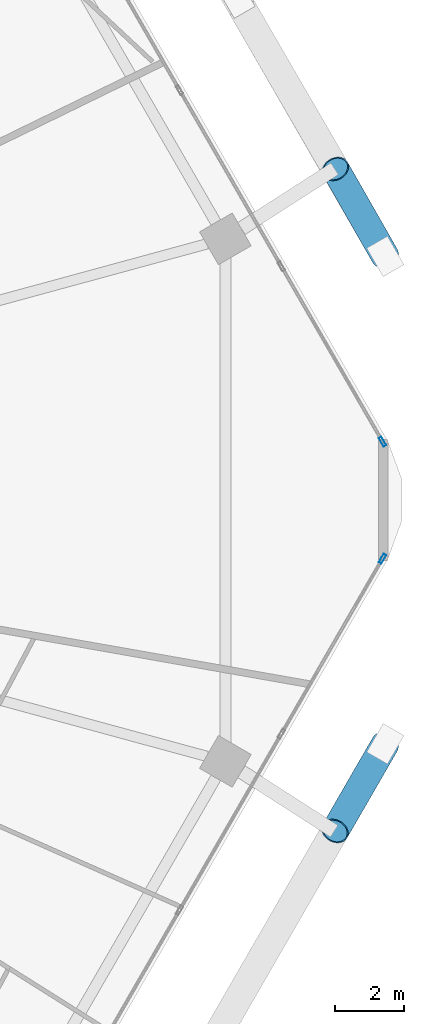
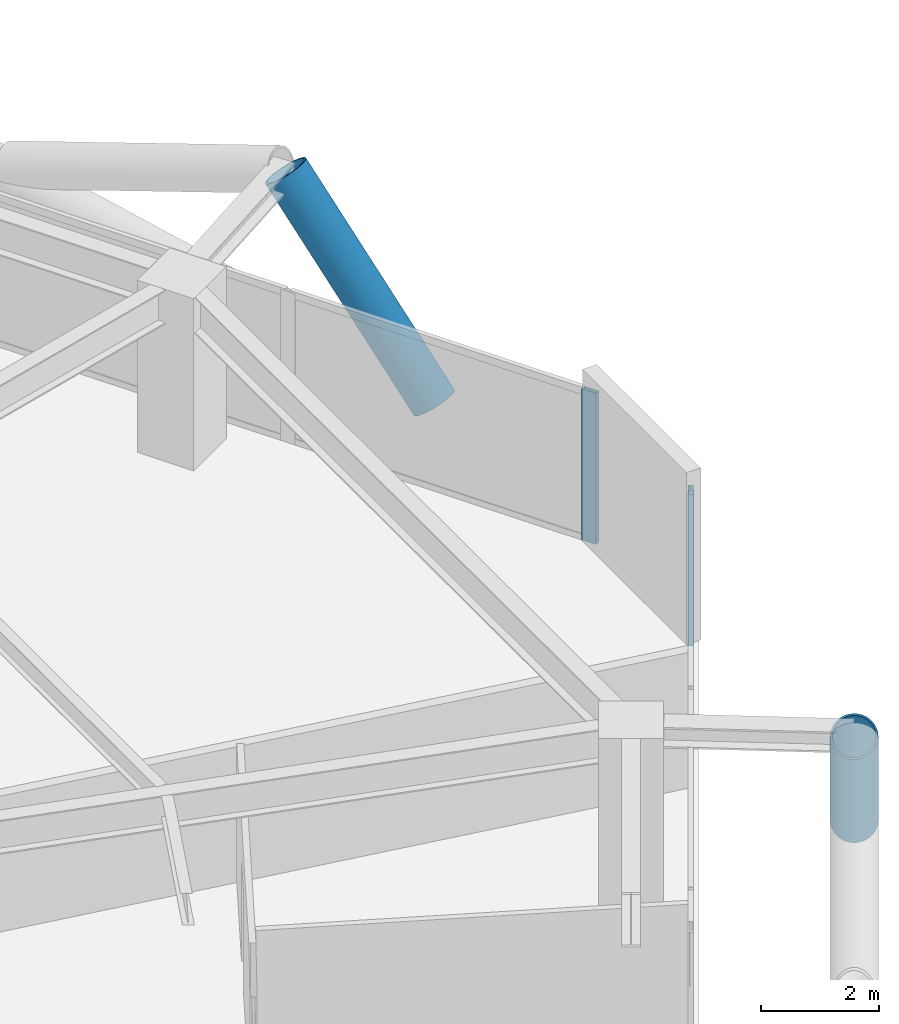
# One storey, part 25 of 35: 4 members, 2 elements without a shape of their own.
"""IFC4 building model written with IfcOpenShell, lengths in metres."""

from ifc_helpers import new_model, si_unit, direction, frame, origin, origin_2d, place, context, subcontext, project, spatial, hollow_rectangle, hollow_circle, extrude, material, material_profile, profile_set, type_object, element, aggregate, save


model = new_model("IFC4")

# Units and contexts
model_context = context("Model", 3, precision=1e-05, world=origin(), true_north=direction((0.0, 1.0)))
body_context = subcontext(model_context, "Body", "Model", "MODEL_VIEW")
ifc_project = project(units=[si_unit("LENGTHUNIT", "METRE"), si_unit("AREAUNIT", "SQUARE_METRE"), si_unit("VOLUMEUNIT", "CUBIC_METRE"), si_unit("PLANEANGLEUNIT", "RADIAN"), si_unit("MASSUNIT", "GRAM", prefix="KILO")], contexts=[model_context])

# Site, building, storey
site_placement = place(None, origin())
site = spatial("IfcSite", under=ifc_project, at=site_placement, CompositionType="ELEMENT")
building_placement = place(site_placement, origin())
building = spatial("IfcBuilding", under=site, at=building_placement, Name="Zuhravey Tower", CompositionType="ELEMENT")
storey_placement = place(building_placement, frame((0.0, 0.0, 138.0)))
storey = spatial("IfcBuildingStorey", under=building, at=storey_placement, Name="L34", CompositionType="ELEMENT", Elevation=138.0)

# Curtain wall, member
ifc_material_1 = material(Name="Thermally broken anodised aluminium", Category="aluminium")
curtain_wall_type = type_object("IfcCurtainWallType", Name="Zone 1-2 Residential Curtain Wall CW3", PredefinedType="NOTDEFINED", material=ifc_material_1)
curtain_wall_1_placement = place(storey_placement, origin())
curtain_wall_1 = element("IfcCurtainWall", 1, at=curtain_wall_1_placement, inside=storey, type_object=curtain_wall_type, Name="L34 CW3 CW-L34-F6-1", PredefinedType="NOTDEFINED")
ifc_material_2 = material(Name="Anodised aluminium", Category="aluminium")
ifc_material_profile_1 = material_profile(ifc_material_2, hollow_rectangle(XDim=0.090087890625, YDim=0.284912109375, WallThickness=0.0048828125, at=origin_2d()), Name="ALU-RHS-90x285x5")
ifc_profile_set_1 = profile_set([ifc_material_profile_1], Name="Anodised aluminium")
member_type_1 = type_object("IfcMemberType", Name="Curtain-Wall Mullion 90x180", PredefinedType="MULLION", material=ifc_profile_set_1)
member_1_placement = place(storey_placement, frame((68.4560546875, 30.298583984375, 0.0), z_axis=(0.0, 0.0, 1.0), x_axis=(0.86602552265, -0.499999794119, 0.0)))
member_1 = element("IfcMember", 2, at=member_1_placement, type_object=member_type_1, Name="CW3 mullion 1", PredefinedType="MULLION", context=body_context, shape_type="SweptSolid", body=[
    extrude(hollow_rectangle(XDim=0.090087890625, YDim=0.284912109375, WallThickness=0.0048828125, at=origin_2d()), origin(), (0.0, 0.0, 1.0), 3.1220703125),
])
aggregate(curtain_wall_1, [member_1])

curtain_wall_2_placement = place(storey_placement, origin())
curtain_wall_2 = element("IfcCurtainWall", 3, at=curtain_wall_2_placement, inside=storey, type_object=curtain_wall_type, Name="L34 CW3 CW-L34-F1-1", PredefinedType="NOTDEFINED")
member_2_placement = place(storey_placement, frame((68.4560546875, 33.701416015625, 0.0), z_axis=(0.0, 0.0, 1.0), x_axis=(0.86602552265, 0.499999794119, 0.0)))
member_2 = element("IfcMember", 4, at=member_2_placement, type_object=member_type_1, Name="CW3 mullion 6", PredefinedType="MULLION", context=body_context, shape_type="SweptSolid", body=[
    extrude(hollow_rectangle(XDim=0.090087890625, YDim=0.284912109375, WallThickness=0.0048828125, at=origin_2d()), origin(), (0.0, 0.0, 1.0), 3.1220703125),
])
aggregate(curtain_wall_2, [member_2])

# Members
ifc_material_3 = material(Name="Steel SM460", Category="steel")
ifc_material_profile_2 = material_profile(ifc_material_3, hollow_circle(Radius=0.406494140625, WallThickness=0.035888671875, at=origin_2d()), Name="CHS-812.8x36")
ifc_profile_set_2 = profile_set([ifc_material_profile_2], Name="Steel SM460")
member_type_2 = type_object("IfcMemberType", Name="Exoskeleton Zone 1 Diagrid CHS813x36", PredefinedType="BRACE", material=ifc_profile_set_2)
for number, where, z_axis, x_axis, name in (
    (5, (68.529052734375, 39.09521484375, -0.44189453125), (-0.303464323846, 0.531846280691, 0.790600365461), (-0.868558015212, -0.49558750409, 0.0), "L34 Face 1 Diagrid Brace 1"),
    (6, (68.52880859375, 24.90478515625, -0.44189453125), (-0.306137960083, -0.53030680042, 0.790603723002), (0.866050021655, -0.499957358174, 0.0), "L34 Face 6 Diagrid Brace 4"),
):
    element("IfcMember", number, at=place(storey_placement, frame(where, z_axis=z_axis, x_axis=x_axis)), inside=storey, type_object=member_type_2, Name=name, PredefinedType="BRACE", context=body_context, shape_type="SweptSolid", body=[
        extrude(hollow_circle(Radius=0.406494140625, WallThickness=0.035888671875, at=origin_2d()), origin(), (0.0, 0.0, 1.0), 4.750732421875),
    ])

save(model, "model.ifc")
